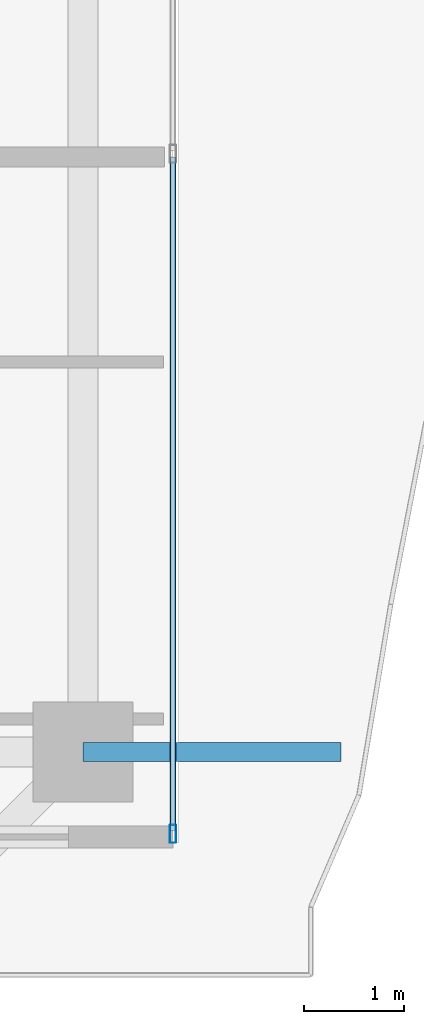
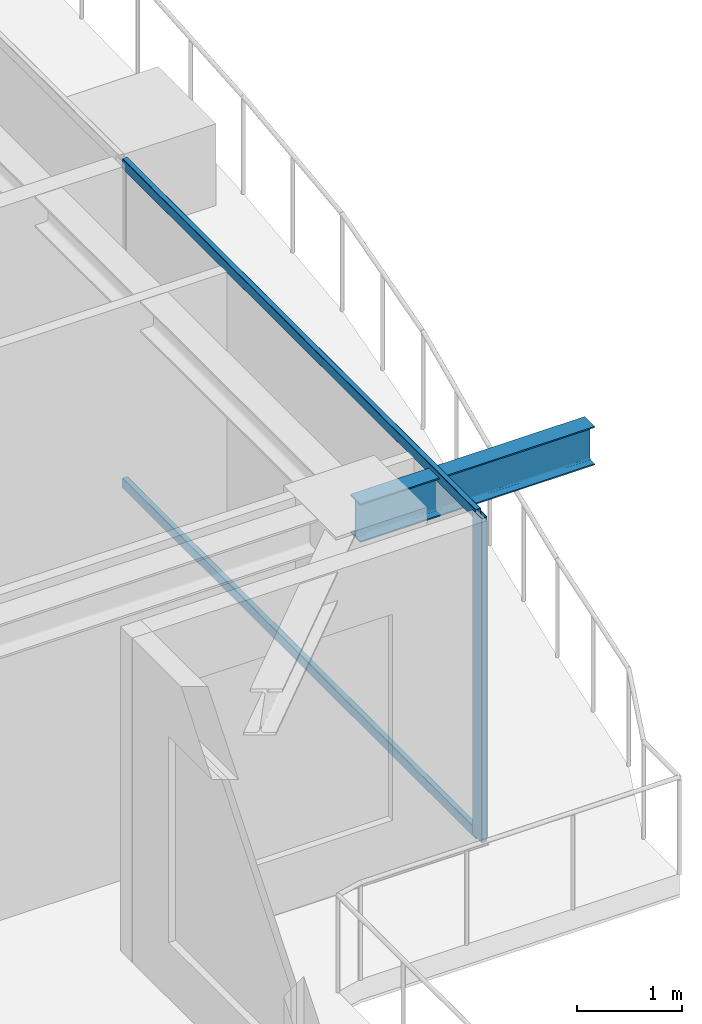
# One storey, part 14 of 42: 3 members, 1 beam, 1 element without a shape of its own.
"""IFC4 building model written with IfcOpenShell, lengths in metres."""

import ifcopenshell
import ifcopenshell.guid

model = None  # the IFC model being written
_history = None  # IfcOwnerHistory: only IFC2X3 demands one
_inside = {}  # id of a spatial element -> (the spatial element, [elements in it])
_under = {}  # id of a project, library or spatial element -> (it, [spatial elements below it])
_declared = {}  # id of a project -> (the project, [libraries it declares])
_typed = {}  # id of a type object -> (the type object, [elements of that type])
_made_of = {}  # id of a material, layer set ... -> (it, [elements and type objects made of it])


def new_model(schema):
    """Start an empty IFC model of exactly this schema.

    Asked for "IFC4X3", IfcOpenShell would pick the latest addendum, in which some entities
    have other attributes; the version numbers below select the first issue.
    IFC2X3 requires an IfcOwnerHistory on every rooted entity: one is made here for all.
    """
    global model, _history
    if schema == "IFC4X3":
        model = ifcopenshell.file(schema_version=(4, 3, 0, 0))
    else:
        model = ifcopenshell.file(schema=schema)
    _inside.clear()
    _under.clear()
    _declared.clear()
    _typed.clear()
    _made_of.clear()
    _history = None
    if model.schema == "IFC2X3":
        org = make("IfcOrganization", Name="unknown")
        user = make(
            "IfcPersonAndOrganization",
            ThePerson=make("IfcPerson", FamilyName="unknown"),
            TheOrganization=org,
        )
        app = make(
            "IfcApplication",
            ApplicationDeveloper=org,
            Version="unknown",
            ApplicationFullName="unknown",
            ApplicationIdentifier="unknown",
        )
        _history = make(
            "IfcOwnerHistory",
            OwningUser=user,
            OwningApplication=app,
            ChangeAction="ADDED",
            CreationDate=0,
        )
    return model


def make(cls, **values):
    """One entity of the class cls with the attributes given. An attribute that is None is left unset."""
    return model.create_entity(
        cls, **{name: value for name, value in values.items() if value is not None}
    )


def rooted(cls, **values):
    """An entity with a GlobalId (a new one), such as an element, a storey or a relation."""
    return make(cls, GlobalId=ifcopenshell.guid.new(), OwnerHistory=_history, **values)


def si_unit(unit_type, name, prefix=None):
    """IfcSIUnit, for example si_unit("LENGTHUNIT", "METRE", prefix="MILLI")."""
    return make("IfcSIUnit", UnitType=unit_type, Prefix=prefix, Name=name)


def assignment(units):
    """IfcUnitAssignment: the units of a project."""
    return None if units is None else make("IfcUnitAssignment", Units=units)


def point(xyz):
    """IfcCartesianPoint."""
    return None if xyz is None else make("IfcCartesianPoint", Coordinates=xyz)


def direction(xyz):
    """IfcDirection."""
    return None if xyz is None else make("IfcDirection", DirectionRatios=xyz)


def frame(location, z_axis=None, x_axis=None):
    """IfcAxis2Placement3D, a coordinate frame: its origin and axes. An axis left out is left unset."""
    return make(
        "IfcAxis2Placement3D",
        Location=point(location),
        Axis=direction(z_axis),
        RefDirection=direction(x_axis),
    )


def frame_2d(location, x_axis=None):
    """IfcAxis2Placement2D, a coordinate frame in the plane: its origin and x axis."""
    return make(
        "IfcAxis2Placement2D", Location=point(location), RefDirection=direction(x_axis)
    )


def origin():
    """The frame at (0, 0, 0) with its axes left unset."""
    return frame((0.0, 0.0, 0.0))


def origin_2d():
    """The frame at (0, 0) in the plane with its x axis left unset."""
    return frame_2d((0.0, 0.0))


def place(relative_to, where):
    """IfcLocalPlacement: puts the frame where relative to a parent placement (None: the world)."""
    return make(
        "IfcLocalPlacement", PlacementRelTo=relative_to, RelativePlacement=where
    )


def context(
    kind, dimensions, precision=None, world=None, true_north=None, identifier=None
):
    """IfcGeometricRepresentationContext, for example the 3D "Model" context."""
    return make(
        "IfcGeometricRepresentationContext",
        ContextIdentifier=identifier,
        ContextType=kind,
        CoordinateSpaceDimension=dimensions,
        Precision=precision,
        WorldCoordinateSystem=world,
        TrueNorth=true_north,
    )


def subcontext(parent, identifier, kind, view, scale=None):
    """IfcGeometricRepresentationSubContext, for example "Body" below "Model"."""
    return make(
        "IfcGeometricRepresentationSubContext",
        ContextIdentifier=identifier,
        ContextType=kind,
        ParentContext=parent,
        TargetScale=scale,
        TargetView=view,
    )


def project(units=None, contexts=None):
    """IfcProject with its units and contexts."""
    return rooted(
        "IfcProject",
        Name="project",
        RepresentationContexts=contexts,
        UnitsInContext=assignment(units),
    )


def spatial(cls, under=None, at=None, **own):
    """A site, building, storey or space (cls), placed at a placement, below another one or the project."""
    s = rooted(cls, ObjectPlacement=at, **own)
    if under is not None:
        _under.setdefault(under.id(), (under, []))[1].append(s)
    return s


def profile(cls, at=None, kind="AREA", **sizes):
    """A parametric profile (cls). Its sizes go by their IFC names, for example OverallWidth=200.0."""
    return make(cls, ProfileType=kind, Position=at, **sizes)


def hollow_rectangle(**sizes):
    """IfcRectangleHollowProfileDef."""
    return profile("IfcRectangleHollowProfileDef", **sizes)


def i_section(**sizes):
    """IfcIShapeProfileDef."""
    return profile("IfcIShapeProfileDef", **sizes)


def extrude(swept, where, along, depth):
    """IfcExtrudedAreaSolid: the profile swept, set in the frame where, extruded along a direction by depth."""
    return make(
        "IfcExtrudedAreaSolid",
        SweptArea=swept,
        Position=where,
        ExtrudedDirection=direction(along),
        Depth=depth,
    )


def shape(context_of_items, identifier, shape_type, items):
    """IfcShapeRepresentation: the items that make up one representation, for example the "Body"."""
    return make(
        "IfcShapeRepresentation",
        ContextOfItems=context_of_items,
        RepresentationIdentifier=identifier,
        RepresentationType=shape_type,
        Items=items,
    )


def source(mapping_origin, context_of_items, identifier, shape_type, items):
    """IfcRepresentationMap: a shape defined once, which mapped items show again and again."""
    return make(
        "IfcRepresentationMap",
        MappingOrigin=mapping_origin,
        MappedRepresentation=shape(context_of_items, identifier, shape_type, items),
    )


def transform(
    local_origin,
    x_axis=None,
    y_axis=None,
    z_axis=None,
    scale=None,
    scale2=None,
    scale3=None,
    uniform=True,
):
    """IfcCartesianTransformationOperator3D, or its non-uniform kind. x_axis, y_axis, z_axis: its Axis1, 2, 3."""
    if uniform:
        return make(
            "IfcCartesianTransformationOperator3D",
            Axis1=direction(x_axis),
            Axis2=direction(y_axis),
            LocalOrigin=point(local_origin),
            Scale=scale,
            Axis3=direction(z_axis),
        )
    return make(
        "IfcCartesianTransformationOperator3DnonUniform",
        Axis1=direction(x_axis),
        Axis2=direction(y_axis),
        LocalOrigin=point(local_origin),
        Scale=scale,
        Axis3=direction(z_axis),
        Scale2=scale2,
        Scale3=scale3,
    )


def mapped(mapping_source, mapping_target):
    """IfcMappedItem: shows the shape of a source again, moved by a transform."""
    return make(
        "IfcMappedItem", MappingSource=mapping_source, MappingTarget=mapping_target
    )


def material(Name=None, Category=None):
    """IfcMaterial."""
    return make("IfcMaterial", Name=Name, Category=Category)


def layer(
    of_material, thickness, ventilated=None, Name=None, Category=None, Priority=None
):
    """IfcMaterialLayer: one layer of a wall or slab, of a material (None: an air gap)."""
    return make(
        "IfcMaterialLayer",
        Material=of_material,
        LayerThickness=thickness,
        IsVentilated=ventilated,
        Name=Name,
        Category=Category,
        Priority=Priority,
    )


def layer_set(layers, Name=None):
    """IfcMaterialLayerSet."""
    return make("IfcMaterialLayerSet", MaterialLayers=layers, LayerSetName=Name)


def material_profile(
    of_material, cross_section, Name=None, Category=None, Priority=None
):
    """IfcMaterialProfile: a cross section and its material."""
    return make(
        "IfcMaterialProfile",
        Name=Name,
        Material=of_material,
        Profile=cross_section,
        Priority=Priority,
        Category=Category,
    )


def profile_set(profiles, Name=None, composite=None):
    """IfcMaterialProfileSet."""
    return make(
        "IfcMaterialProfileSet",
        Name=Name,
        MaterialProfiles=profiles,
        CompositeProfile=composite,
    )


def made_of(thing, what):
    """Note that an element or type object is made of a material, layer set ...; save() writes the relation."""
    if what is not None:
        _made_of.setdefault(what.id(), (what, []))[1].append(thing)
    return thing


def type_object(cls, material=None, **own):
    """A type object (cls), such as IfcWallType, which elements share."""
    return made_of(rooted(cls, **own), material)


def element(
    cls,
    number,
    at=None,
    inside=None,
    cuts=None,
    type_object=None,
    material=None,
    context=None,
    identifier="Body",
    shape_type=None,
    held_by="IfcProductDefinitionShape",
    body=None,
    shapes=None,
    **own,
):
    """One element of the class cls, such as IfcWall. Its Tag is "e" and its number.

    at: its placement. inside: the storey or other place that contains it. cuts: it is an
    opening in that element (IfcRelVoidsElement). A single representation is given by context,
    identifier, shape_type and body (its items); several are given by shapes. held_by: the class
    of the entity that holds the representations. save() writes the other relations.
    """
    e = rooted(cls, Tag="e%d" % number, ObjectPlacement=at, **own)
    if body is not None:
        shapes = [shape(context, identifier, shape_type, body)]
    if shapes is not None:
        e.Representation = make(held_by, Representations=shapes)
    if inside is not None:
        _inside.setdefault(inside.id(), (inside, []))[1].append(e)
    if cuts is not None:
        rooted(
            "IfcRelVoidsElement", RelatingBuildingElement=cuts, RelatedOpeningElement=e
        )
    if type_object is not None:
        _typed.setdefault(type_object.id(), (type_object, []))[1].append(e)
    return made_of(e, material)


def aggregate(whole, parts):
    """IfcRelAggregates: a whole, such as a stair, and the parts it consists of."""
    return rooted("IfcRelAggregates", RelatingObject=whole, RelatedObjects=parts)


def save(model, path):
    """Write the relations noted so far, then the file.

    IfcRelAggregates (storeys below a building ...), IfcRelContainedInSpatialStructure (elements
    in a storey), IfcRelDefinesByType, IfcRelAssociatesMaterial and IfcRelDeclares: one each for
    every whole, place, type object, material and project.
    """
    for whole, parts in _under.values():
        aggregate(whole, parts)
    for where, things in _inside.values():
        rooted(
            "IfcRelContainedInSpatialStructure",
            RelatedElements=things,
            RelatingStructure=where,
        )
    for kind, things in _typed.values():
        rooted("IfcRelDefinesByType", RelatedObjects=things, RelatingType=kind)
    for what, things in _made_of.values():
        rooted("IfcRelAssociatesMaterial", RelatedObjects=things, RelatingMaterial=what)
    for by, libraries in _declared.values():
        rooted("IfcRelDeclares", RelatingContext=by, RelatedDefinitions=libraries)
    model.write(path)


model = new_model("IFC4")

# Units and contexts
model_context = context("Model", 3, precision=1e-05, world=origin(), true_north=direction((0.0, 1.0)))
body_context = subcontext(model_context, "Body", "Model", "MODEL_VIEW")
ifc_project = project(units=[si_unit("LENGTHUNIT", "METRE"), si_unit("AREAUNIT", "SQUARE_METRE"), si_unit("VOLUMEUNIT", "CUBIC_METRE"), si_unit("PLANEANGLEUNIT", "RADIAN"), si_unit("MASSUNIT", "GRAM", prefix="KILO")], contexts=[model_context])

# Site, building, storey
site_placement = place(None, origin())
site = spatial("IfcSite", under=ifc_project, at=site_placement, CompositionType="ELEMENT")
building_placement = place(site_placement, origin())
building = spatial("IfcBuilding", under=site, at=building_placement, Name="Serunith Strait Residences", CompositionType="ELEMENT")
storey_placement = place(building_placement, frame((0.0, 0.0, 325.85009765625)))
storey = spatial("IfcBuildingStorey", under=building, at=storey_placement, Name="L81", CompositionType="ELEMENT", Elevation=325.85009765625)

# Beam
ifc_material_1 = material(Name="Steel S355J2", Category="steel")
ifc_material_profile_1 = material_profile(ifc_material_1, i_section(OverallWidth=0.18994140625, OverallDepth=0.449951171875, WebThickness=0.009521484375, FlangeThickness=0.0146484375, FilletRadius=0.02099609375, at=origin_2d()), Name="IPE 450")
ifc_profile_set_1 = profile_set([ifc_material_profile_1], Name="Steel S355J2")
beam_type = type_object("IfcBeamType", Name="BM-IPE450", PredefinedType="JOIST", material=ifc_profile_set_1)
shared_shape_1 = source(origin(), body_context, "Body", "SweptSolid", [
    extrude(i_section(OverallWidth=0.18994140625, OverallDepth=0.449951171875, WebThickness=0.009521484375, FlangeThickness=0.0146484375, FilletRadius=0.02099609375, at=origin_2d()), origin(), (0.0, 0.0, 1.0), 2.58154296875),
])
beam_placement = place(storey_placement, frame((54.699951171875, 10.85009765625, 3.531982421875), z_axis=(1.0, 0.0, 0.0), x_axis=(0.0, 1.0, 0.0)))
element("IfcBeam", 1, at=beam_placement, inside=storey, type_object=beam_type, Name="L82 Cantilevered Balcony Rib TC-E1", PredefinedType="JOIST", context=body_context, shape_type="MappedRepresentation", body=[
    mapped(shared_shape_1, transform((0.0, 0.0, 0.0), scale=1.0)),
])

# Curtain wall, members
ifc_material_2 = material(Name="Brushed Stainless-Silver Aluminium", Category="aluminium")
ifc_layer = layer(ifc_material_2, 0.199951171875, Name="Brushed Stainless-Silver Aluminium")
ifc_layer_set = layer_set([ifc_layer], Name="Brushed Stainless-Silver Aluminium")
curtain_wall_type = type_object("IfcCurtainWallType", Name="CW-SYS5", PredefinedType="NOTDEFINED", material=ifc_layer_set)
curtain_wall_placement = place(storey_placement, origin())
curtain_wall = element("IfcCurtainWall", 2, at=curtain_wall_placement, inside=storey, type_object=curtain_wall_type, Name="L81 E Unitised Fritted Curtain Wall", PredefinedType="NOTDEFINED")
ifc_material_profile_2 = material_profile(ifc_material_2, hollow_rectangle(XDim=0.06494140625, YDim=0.179931640625, WallThickness=0.00341796875, InnerFilletRadius=0.00537109375, OuterFilletRadius=0.0087890625, at=origin_2d()), Name="ALU 180x65x3.5")
ifc_profile_set_2 = profile_set([ifc_material_profile_2], Name="Brushed Stainless-Silver Aluminium")
member_type_1 = type_object("IfcMemberType", Name="CW-SYS5-MULL", PredefinedType="MULLION", material=ifc_profile_set_2)
shared_shape_2 = source(origin(), body_context, "Body", "SweptSolid", [
    extrude(hollow_rectangle(XDim=0.06494140625, YDim=0.179931640625, WallThickness=0.00341796875, InnerFilletRadius=0.00537109375, OuterFilletRadius=0.0087890625, at=origin_2d()), origin(), (0.0, 0.0, 1.0), 3.77490234375),
])
member_1_placement = place(storey_placement, frame((55.60009765625, 10.032470703125, 0.0), z_axis=(0.0, 0.0, 1.0), x_axis=(-1.0, 0.0, 0.0)))
member_1 = element("IfcMember", 3, at=member_1_placement, type_object=member_type_1, Name="CW-5 mullion 1", PredefinedType="MULLION", context=body_context, shape_type="MappedRepresentation", body=[
    mapped(shared_shape_2, transform((0.0, 0.0, 0.0), scale=1.0)),
])
ifc_material_profile_3 = material_profile(ifc_material_2, hollow_rectangle(XDim=0.06005859375, YDim=0.1201171875, WallThickness=0.00341796875, InnerFilletRadius=0.00537109375, OuterFilletRadius=0.0087890625, at=origin_2d()), Name="ALU 120x60x3.5")
ifc_profile_set_3 = profile_set([ifc_material_profile_3], Name="Brushed Stainless-Silver Aluminium")
member_type_2 = type_object("IfcMemberType", Name="CW-SYS5-TRAN", PredefinedType="USERDEFINED", material=ifc_profile_set_3)
shared_shape_3 = source(origin(), body_context, "Body", "SweptSolid", [
    extrude(hollow_rectangle(XDim=0.06005859375, YDim=0.1201171875, WallThickness=0.00341796875, InnerFilletRadius=0.00537109375, OuterFilletRadius=0.0087890625, at=origin_2d()), origin(), (0.0, 0.0, 1.0), 6.73583984375),
])
member_2_placement = place(storey_placement, frame((55.60009765625, 10.06494140625, 0.02978515625), z_axis=(0.0, 1.0, 0.0), x_axis=(-1.0, 0.0, 0.0)))
member_2 = element("IfcMember", 4, at=member_2_placement, type_object=member_type_2, Name="CW-5 transom 1.1", ObjectType="TRANSOM", PredefinedType="USERDEFINED", context=body_context, shape_type="MappedRepresentation", body=[
    mapped(shared_shape_3, transform((0.0, 0.0, 0.0), scale=1.0)),
])
member_3_placement = place(storey_placement, frame((55.60009765625, 10.06494140625, 3.744873046875), z_axis=(0.0, 1.0, 0.0), x_axis=(-1.0, 0.0, 0.0)))
member_3 = element("IfcMember", 5, at=member_3_placement, type_object=member_type_2, Name="CW-5 transom 1.2", ObjectType="TRANSOM", PredefinedType="USERDEFINED", context=body_context, shape_type="MappedRepresentation", body=[
    mapped(shared_shape_3, transform((0.0, 0.0, 0.0), scale=1.0)),
])
aggregate(curtain_wall, [member_1, member_2, member_3])

save(model, "model.ifc")
